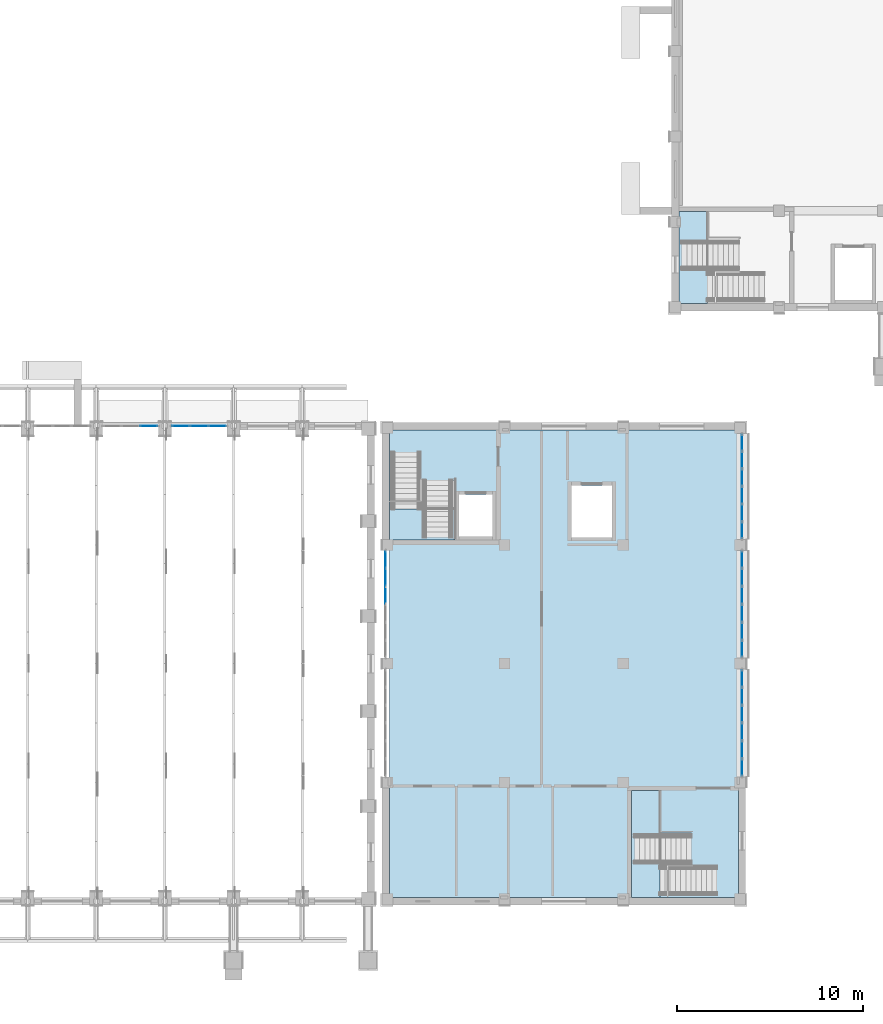
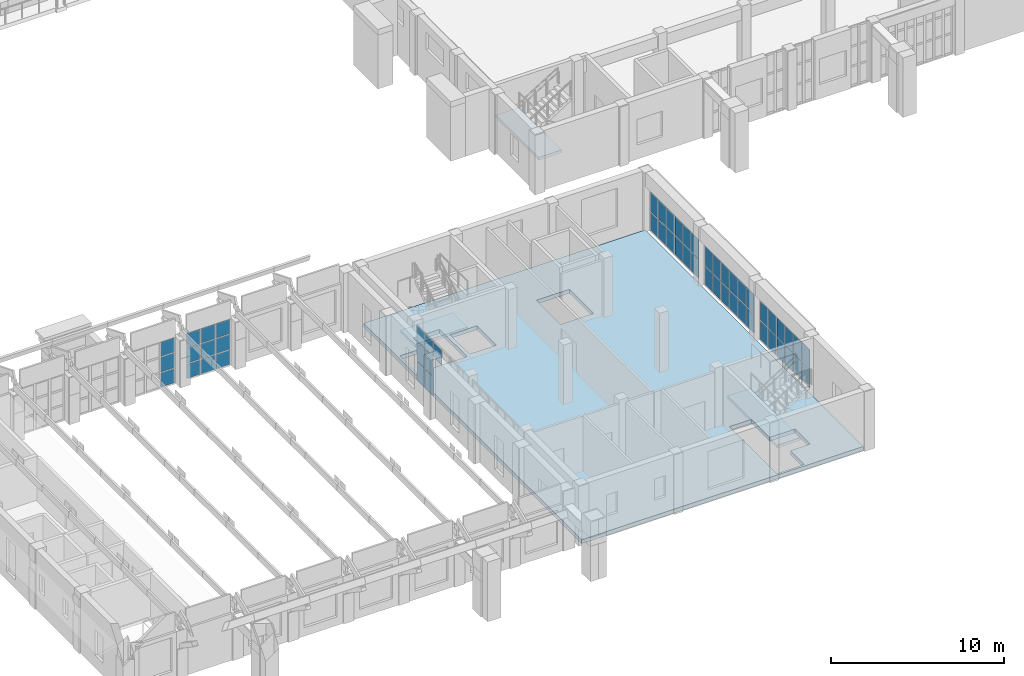
# One storey, part 44 of 99: 55 plates, 4 slabs, 9 elements without a shape of their own.
"""IFC4 building model written with IfcOpenShell, lengths in metres."""

from ifc_helpers import new_model, si_unit, direction, frame, origin, origin_2d, place, context, subcontext, project, spatial, polyline, rectangle, outline, extrude, material, layer, layer_set, type_object, element, aggregate, save


model = new_model("IFC4")

# Units and contexts
model_context = context("Model", 3, precision=1e-05, world=origin(), true_north=direction((0.0, 1.0)))
body_context = subcontext(model_context, "Body", "Model", "MODEL_VIEW")
ifc_project = project(units=[si_unit("LENGTHUNIT", "METRE"), si_unit("AREAUNIT", "SQUARE_METRE"), si_unit("VOLUMEUNIT", "CUBIC_METRE"), si_unit("PLANEANGLEUNIT", "RADIAN"), si_unit("MASSUNIT", "GRAM", prefix="KILO")], contexts=[model_context])

# Site, building, storey
site_placement = place(None, origin())
site = spatial("IfcSite", under=ifc_project, at=site_placement, CompositionType="ELEMENT")
building_placement = place(site_placement, origin())
building = spatial("IfcBuilding", under=site, at=building_placement, Name="Wasatch Bagh Community Centre", CompositionType="ELEMENT")
storey_placement = place(building_placement, frame((0.0, 0.0, 4.199951171875)))
storey = spatial("IfcBuildingStorey", under=building, at=storey_placement, Name="L01", CompositionType="ELEMENT", Elevation=4.199951171875)

# Curtain wall, plates
ifc_material_1 = material(Name="Aluminium alloy 6063-T6", Category="aluminium")
ifc_layer_1 = layer(ifc_material_1, 0.10009765625)
ifc_layer_set_1 = layer_set([ifc_layer_1], Name="Aluminium alloy 6063-T6")
curtain_wall_type_1 = type_object("IfcCurtainWallType", Name="DH-CW2", PredefinedType="NOTDEFINED", material=ifc_layer_set_1)
curtain_wall_1_placement = place(storey_placement, origin())
curtain_wall_1 = element("IfcCurtainWall", 1, at=curtain_wall_1_placement, inside=storey, type_object=curtain_wall_type_1, Name="Curtain wall DH-CW2", PredefinedType="NOTDEFINED")
ifc_material_2 = material(Name="Laminated glass 8+8 mm", Category="glass")
ifc_layer_2 = layer(ifc_material_2, 0.028076171875)
ifc_layer_set_2 = layer_set([ifc_layer_2], Name="Laminated glass 8+8 mm")
plate_type_1 = type_object("IfcPlateType", Name="DH-CW2 panel", PredefinedType="CURTAIN_PANEL", material=ifc_layer_set_2)
plate_1_placement = place(storey_placement, frame((83.8349609375, 31.800048828125, 0.06005859375), z_axis=(0.0, 0.0, 1.0), x_axis=(1.0, 0.0, 0.0)))
plate_1 = element("IfcPlate", 2, at=plate_1_placement, type_object=plate_type_1, Name="DH-CW2 panel 3.1", PredefinedType="CURTAIN_PANEL", context=body_context, shape_type="SweptSolid", body=[
    extrude(rectangle(XDim=0.909912109375, YDim=0.028076171875, at=origin_2d()), origin(), (0.0, 0.0, 1.0), 1.010009765625),
])
plate_2_placement = place(storey_placement, frame((83.8349609375, 31.800048828125, 1.130126953125), z_axis=(0.0, 0.0, 1.0), x_axis=(1.0, 0.0, 0.0)))
plate_2 = element("IfcPlate", 3, at=plate_2_placement, type_object=plate_type_1, Name="DH-CW2 panel 3.2", PredefinedType="CURTAIN_PANEL", context=body_context, shape_type="SweptSolid", body=[
    extrude(rectangle(XDim=0.909912109375, YDim=0.028076171875, at=origin_2d()), origin(), (0.0, 0.0, 1.0), 1.0400390625),
])
plate_3_placement = place(storey_placement, frame((83.8349609375, 31.800048828125, 2.22998046875), z_axis=(0.0, 0.0, 1.0), x_axis=(1.0, 0.0, 0.0)))
plate_3 = element("IfcPlate", 4, at=plate_3_placement, type_object=plate_type_1, Name="DH-CW2 panel 3.3", PredefinedType="CURTAIN_PANEL", context=body_context, shape_type="SweptSolid", body=[
    extrude(rectangle(XDim=0.909912109375, YDim=0.028076171875, at=origin_2d()), origin(), (0.0, 0.0, 1.0), 1.010009765625),
])
aggregate(curtain_wall_1, [plate_1, plate_2, plate_3])

ifc_layer_3 = layer(ifc_material_1, 0.10009765625)
ifc_layer_set_3 = layer_set([ifc_layer_3], Name="Aluminium alloy 6063-T6")
curtain_wall_type_2 = type_object("IfcCurtainWallType", Name="DH-CW3", PredefinedType="NOTDEFINED", material=ifc_layer_set_3)
curtain_wall_2_placement = place(storey_placement, origin())
curtain_wall_2 = element("IfcCurtainWall", 5, at=curtain_wall_2_placement, inside=storey, type_object=curtain_wall_type_2, Name="Curtain wall DH-CW3", PredefinedType="NOTDEFINED")
ifc_layer_4 = layer(ifc_material_2, 0.028076171875)
ifc_layer_set_4 = layer_set([ifc_layer_4], Name="Laminated glass 8+8 mm")
plate_type_2 = type_object("IfcPlateType", Name="DH-CW3 panel", PredefinedType="CURTAIN_PANEL", material=ifc_layer_set_4)
plate_4_placement = place(storey_placement, frame((85.56494140625, 31.800048828125, 0.06005859375), z_axis=(0.0, 0.0, 1.0), x_axis=(1.0, 0.0, 0.0)))
plate_4 = element("IfcPlate", 6, at=plate_4_placement, type_object=plate_type_2, Name="DH-CW3 panel 1.1", PredefinedType="CURTAIN_PANEL", context=body_context, shape_type="SweptSolid", body=[
    extrude(rectangle(XDim=0.909912109375, YDim=0.028076171875, at=origin_2d()), origin(), (0.0, 0.0, 1.0), 1.010009765625),
])
plate_5_placement = place(storey_placement, frame((85.56494140625, 31.800048828125, 1.130126953125), z_axis=(0.0, 0.0, 1.0), x_axis=(1.0, 0.0, 0.0)))
plate_5 = element("IfcPlate", 7, at=plate_5_placement, type_object=plate_type_2, Name="DH-CW3 panel 1.2", PredefinedType="CURTAIN_PANEL", context=body_context, shape_type="SweptSolid", body=[
    extrude(rectangle(XDim=0.909912109375, YDim=0.028076171875, at=origin_2d()), origin(), (0.0, 0.0, 1.0), 1.0400390625),
])
plate_6_placement = place(storey_placement, frame((85.56494140625, 31.800048828125, 2.22998046875), z_axis=(0.0, 0.0, 1.0), x_axis=(1.0, 0.0, 0.0)))
plate_6 = element("IfcPlate", 8, at=plate_6_placement, type_object=plate_type_2, Name="DH-CW3 panel 1.3", PredefinedType="CURTAIN_PANEL", context=body_context, shape_type="SweptSolid", body=[
    extrude(rectangle(XDim=0.909912109375, YDim=0.028076171875, at=origin_2d()), origin(), (0.0, 0.0, 1.0), 1.010009765625),
])
plate_7_placement = place(storey_placement, frame((86.550048828125, 31.800048828125, 0.06005859375), z_axis=(0.0, 0.0, 1.0), x_axis=(1.0, 0.0, 0.0)))
plate_7 = element("IfcPlate", 9, at=plate_7_placement, type_object=plate_type_2, Name="DH-CW3 panel 2.1", PredefinedType="CURTAIN_PANEL", context=body_context, shape_type="SweptSolid", body=[
    extrude(rectangle(XDim=0.93994140625, YDim=0.028076171875, at=origin_2d()), origin(), (0.0, 0.0, 1.0), 1.010009765625),
])
plate_8_placement = place(storey_placement, frame((86.550048828125, 31.800048828125, 1.130126953125), z_axis=(0.0, 0.0, 1.0), x_axis=(1.0, 0.0, 0.0)))
plate_8 = element("IfcPlate", 10, at=plate_8_placement, type_object=plate_type_2, Name="DH-CW3 panel 2.2", PredefinedType="CURTAIN_PANEL", context=body_context, shape_type="SweptSolid", body=[
    extrude(rectangle(XDim=0.93994140625, YDim=0.028076171875, at=origin_2d()), origin(), (0.0, 0.0, 1.0), 1.0400390625),
])
plate_9_placement = place(storey_placement, frame((86.550048828125, 31.800048828125, 2.22998046875), z_axis=(0.0, 0.0, 1.0), x_axis=(1.0, 0.0, 0.0)))
plate_9 = element("IfcPlate", 11, at=plate_9_placement, type_object=plate_type_2, Name="DH-CW3 panel 2.3", PredefinedType="CURTAIN_PANEL", context=body_context, shape_type="SweptSolid", body=[
    extrude(rectangle(XDim=0.93994140625, YDim=0.028076171875, at=origin_2d()), origin(), (0.0, 0.0, 1.0), 1.010009765625),
])
plate_10_placement = place(storey_placement, frame((87.534912109375, 31.800048828125, 0.06005859375), z_axis=(0.0, 0.0, 1.0), x_axis=(1.0, 0.0, 0.0)))
plate_10 = element("IfcPlate", 12, at=plate_10_placement, type_object=plate_type_2, Name="DH-CW3 panel 3.1", PredefinedType="CURTAIN_PANEL", context=body_context, shape_type="SweptSolid", body=[
    extrude(rectangle(XDim=0.909912109375, YDim=0.028076171875, at=origin_2d()), origin(), (0.0, 0.0, 1.0), 1.010009765625),
])
plate_11_placement = place(storey_placement, frame((87.534912109375, 31.800048828125, 1.130126953125), z_axis=(0.0, 0.0, 1.0), x_axis=(1.0, 0.0, 0.0)))
plate_11 = element("IfcPlate", 13, at=plate_11_placement, type_object=plate_type_2, Name="DH-CW3 panel 3.2", PredefinedType="CURTAIN_PANEL", context=body_context, shape_type="SweptSolid", body=[
    extrude(rectangle(XDim=0.909912109375, YDim=0.028076171875, at=origin_2d()), origin(), (0.0, 0.0, 1.0), 1.0400390625),
])
plate_12_placement = place(storey_placement, frame((87.534912109375, 31.800048828125, 2.22998046875), z_axis=(0.0, 0.0, 1.0), x_axis=(1.0, 0.0, 0.0)))
plate_12 = element("IfcPlate", 14, at=plate_12_placement, type_object=plate_type_2, Name="DH-CW3 panel 3.3", PredefinedType="CURTAIN_PANEL", context=body_context, shape_type="SweptSolid", body=[
    extrude(rectangle(XDim=0.909912109375, YDim=0.028076171875, at=origin_2d()), origin(), (0.0, 0.0, 1.0), 1.010009765625),
])
aggregate(curtain_wall_2, [plate_4, plate_5, plate_6, plate_7, plate_8, plate_9, plate_10, plate_11, plate_12])

# Slab
ifc_material_3 = material(Name="Concrete C35", Category="concrete")
ifc_layer_5 = layer(ifc_material_3, 0.280029296875)
ifc_layer_set_5 = layer_set([ifc_layer_5], Name="Concrete C35")
slab_type_1 = type_object("IfcSlabType", Name="KW floor slab 280", PredefinedType="FLOOR", material=ifc_layer_set_5)
slab_1_placement = place(storey_placement, frame((0.0, 0.0, -0.280029296875)))
element("IfcSlab", 15, at=slab_1_placement, inside=storey, type_object=slab_type_1, Name="KW.slab.L01.floor", PredefinedType="FLOOR", context=body_context, shape_type="SweptSolid", body=[
    extrude(outline(polyline([(96.800048828125, 6.39990234375), (115.60009765625, 6.39990234375), (115.60009765625, 31.60009765625), (96.800048828125, 31.60009765625), (96.800048828125, 6.39990234375)]), holes=[polyline([(96.949951171875, 27.68798828125), (96.949951171875, 25.699951171875), (100.300048828125, 25.699951171875), (100.300048828125, 28.860107421875), (98.550048828125, 28.860107421875), (98.550048828125, 27.68798828125), (96.949951171875, 27.68798828125)]), polyline([(111.738037109375, 6.550048828125), (109.89990234375, 6.550048828125), (109.89990234375, 12.0), (111.3701171875, 12.0), (111.3701171875, 9.89990234375), (113.06005859375, 9.89990234375), (113.06005859375, 8.14990234375), (111.738037109375, 8.14990234375), (111.738037109375, 6.550048828125)]), polyline([(100.550048828125, 25.85009765625), (102.35009765625, 25.85009765625), (102.35009765625, 28.10009765625), (100.550048828125, 28.10009765625), (100.550048828125, 25.85009765625)]), polyline([(106.60009765625, 25.800048828125), (108.800048828125, 25.800048828125), (108.800048828125, 28.60009765625), (106.60009765625, 28.60009765625), (106.60009765625, 25.800048828125)])]), origin(), (0.0, 0.0, 1.0), 0.280029296875),
])

# Stair, slab
stair_type_1 = type_object("IfcStairType", Name="KW stair 1500", PredefinedType="HALF_TURN_STAIR", material=ifc_material_3)
stair_1_placement = place(storey_placement, origin())
stair_1 = element("IfcStair", 16, at=stair_1_placement, inside=storey, type_object=stair_type_1, Name="ST4 stair", PredefinedType="HALF_TURN_STAIR")
ifc_layer_6 = layer(ifc_material_3, 0.199951171875)
ifc_layer_set_6 = layer_set([ifc_layer_6], Name="Concrete C35")
slab_type_2 = type_object("IfcSlabType", Name="KW landing 200", PredefinedType="LANDING", material=ifc_layer_set_6)
slab_2_placement = place(storey_placement, frame((0.0, 0.0, 1.900146484375)))
slab_2 = element("IfcSlab", 17, at=slab_2_placement, type_object=slab_type_2, Name="ST4 landing 1", PredefinedType="LANDING", context=body_context, shape_type="SweptSolid", body=[
    extrude(outline(polyline([(96.800048828125, 27.340087890625), (96.800048828125, 25.64990234375), (100.300048828125, 25.64990234375), (100.300048828125, 27.340087890625), (96.800048828125, 27.340087890625)])), origin(), (0.0, 0.0, 1.0), 0.199951171875),
])
aggregate(stair_1, [slab_2])

stair_2_placement = place(storey_placement, origin())
stair_2 = element("IfcStair", 18, at=stair_2_placement, inside=storey, type_object=stair_type_1, Name="ST5 stair", PredefinedType="HALF_TURN_STAIR")
slab_3_placement = place(storey_placement, frame((0.0, 0.0, 1.900146484375)))
slab_3 = element("IfcSlab", 19, at=slab_3_placement, type_object=slab_type_2, Name="ST5 landing 1", PredefinedType="LANDING", context=body_context, shape_type="SweptSolid", body=[
    extrude(outline(polyline([(111.389892578125, 6.39990234375), (109.85009765625, 6.39990234375), (109.85009765625, 12.14990234375), (111.389892578125, 12.14990234375), (111.389892578125, 6.39990234375)])), origin(), (0.0, 0.0, 1.0), 0.199951171875),
])
aggregate(stair_2, [slab_3])

# Curtain wall, plates
ifc_layer_7 = layer(ifc_material_1, 0.10009765625)
ifc_layer_set_7 = layer_set([ifc_layer_7], Name="Aluminium alloy 6063-T6")
curtain_wall_type_3 = type_object("IfcCurtainWallType", Name="KW-CW1", PredefinedType="NOTDEFINED", material=ifc_layer_set_7)
curtain_wall_3_placement = place(storey_placement, origin())
curtain_wall_3 = element("IfcCurtainWall", 20, at=curtain_wall_3_placement, inside=storey, type_object=curtain_wall_type_3, Name="Curtain wall KW-CW1", PredefinedType="NOTDEFINED")
ifc_layer_8 = layer(ifc_material_2, 0.028076171875)
ifc_layer_set_8 = layer_set([ifc_layer_8], Name="Laminated glass 8+8 mm")
plate_type_3 = type_object("IfcPlateType", Name="KW-CW1 panel", PredefinedType="CURTAIN_PANEL", material=ifc_layer_set_8)
plate_13_placement = place(storey_placement, frame((96.60009765625, 22.683349609375, 2.830078125), z_axis=(0.0, 0.0, 1.0), x_axis=(0.0, 1.0, 0.0)))
plate_13 = element("IfcPlate", 21, at=plate_13_placement, type_object=plate_type_3, Name="KW-CW1 panel 4.3", PredefinedType="CURTAIN_PANEL", context=body_context, shape_type="SweptSolid", body=[
    extrude(rectangle(XDim=0.90673828125, YDim=0.028076171875, at=origin_2d()), origin(), (0.0, 0.0, 1.0), 1.030029296875),
])
plate_14_placement = place(storey_placement, frame((96.60009765625, 23.64990234375, 0.06005859375), z_axis=(0.0, 0.0, 1.0), x_axis=(0.0, 1.0, 0.0)))
plate_14 = element("IfcPlate", 22, at=plate_14_placement, type_object=plate_type_3, Name="KW-CW1 panel 5.1", PredefinedType="CURTAIN_PANEL", context=body_context, shape_type="SweptSolid", body=[
    extrude(rectangle(XDim=0.90673828125, YDim=0.028076171875, at=origin_2d()), origin(), (0.0, 0.0, 1.0), 1.31005859375),
])
plate_15_placement = place(storey_placement, frame((96.60009765625, 23.64990234375, 1.43017578125), z_axis=(0.0, 0.0, 1.0), x_axis=(0.0, 1.0, 0.0)))
plate_15 = element("IfcPlate", 23, at=plate_15_placement, type_object=plate_type_3, Name="KW-CW1 panel 5.2", PredefinedType="CURTAIN_PANEL", context=body_context, shape_type="SweptSolid", body=[
    extrude(rectangle(XDim=0.90673828125, YDim=0.028076171875, at=origin_2d()), origin(), (0.0, 0.0, 1.0), 1.340087890625),
])
plate_16_placement = place(storey_placement, frame((96.60009765625, 23.64990234375, 2.830078125), z_axis=(0.0, 0.0, 1.0), x_axis=(0.0, 1.0, 0.0)))
plate_16 = element("IfcPlate", 24, at=plate_16_placement, type_object=plate_type_3, Name="KW-CW1 panel 5.3", PredefinedType="CURTAIN_PANEL", context=body_context, shape_type="SweptSolid", body=[
    extrude(rectangle(XDim=0.90673828125, YDim=0.028076171875, at=origin_2d()), origin(), (0.0, 0.0, 1.0), 1.030029296875),
])
plate_17_placement = place(storey_placement, frame((96.60009765625, 24.6015625, 0.06005859375), z_axis=(0.0, 0.0, 1.0), x_axis=(0.0, 1.0, 0.0)))
plate_17 = element("IfcPlate", 25, at=plate_17_placement, type_object=plate_type_3, Name="KW-CW1 panel 6.1", PredefinedType="CURTAIN_PANEL", context=body_context, shape_type="SweptSolid", body=[
    extrude(rectangle(XDim=0.876708984375, YDim=0.028076171875, at=origin_2d()), origin(), (0.0, 0.0, 1.0), 1.31005859375),
])
plate_18_placement = place(storey_placement, frame((96.60009765625, 24.6015625, 1.43017578125), z_axis=(0.0, 0.0, 1.0), x_axis=(0.0, 1.0, 0.0)))
plate_18 = element("IfcPlate", 26, at=plate_18_placement, type_object=plate_type_3, Name="KW-CW1 panel 6.2", PredefinedType="CURTAIN_PANEL", context=body_context, shape_type="SweptSolid", body=[
    extrude(rectangle(XDim=0.876708984375, YDim=0.028076171875, at=origin_2d()), origin(), (0.0, 0.0, 1.0), 1.340087890625),
])
plate_19_placement = place(storey_placement, frame((96.60009765625, 24.6015625, 2.830078125), z_axis=(0.0, 0.0, 1.0), x_axis=(0.0, 1.0, 0.0)))
plate_19 = element("IfcPlate", 27, at=plate_19_placement, type_object=plate_type_3, Name="KW-CW1 panel 6.3", PredefinedType="CURTAIN_PANEL", context=body_context, shape_type="SweptSolid", body=[
    extrude(rectangle(XDim=0.876708984375, YDim=0.028076171875, at=origin_2d()), origin(), (0.0, 0.0, 1.0), 1.030029296875),
])
aggregate(curtain_wall_3, [plate_13, plate_14, plate_15, plate_16, plate_17, plate_18, plate_19])

ifc_layer_9 = layer(ifc_material_1, 0.10009765625)
ifc_layer_set_9 = layer_set([ifc_layer_9], Name="Aluminium alloy 6063-T6")
curtain_wall_type_4 = type_object("IfcCurtainWallType", Name="KW-CW2", PredefinedType="NOTDEFINED", material=ifc_layer_set_9)
curtain_wall_4_placement = place(storey_placement, origin())
curtain_wall_4 = element("IfcCurtainWall", 28, at=curtain_wall_4_placement, inside=storey, type_object=curtain_wall_type_4, Name="Curtain wall KW-CW2", PredefinedType="NOTDEFINED")
ifc_layer_10 = layer(ifc_material_2, 0.028076171875)
ifc_layer_set_10 = layer_set([ifc_layer_10], Name="Laminated glass 8+8 mm")
plate_type_4 = type_object("IfcPlateType", Name="KW-CW2 panel", PredefinedType="CURTAIN_PANEL", material=ifc_layer_set_10)
plate_20_placement = place(storey_placement, frame((115.800048828125, 13.3984375, 0.06005859375), z_axis=(0.0, 0.0, 1.0), x_axis=(0.0, 1.0, 0.0)))
plate_20 = element("IfcPlate", 29, at=plate_20_placement, type_object=plate_type_4, Name="KW-CW2 panel 1.1", PredefinedType="CURTAIN_PANEL", context=body_context, shape_type="SweptSolid", body=[
    extrude(rectangle(XDim=0.876708984375, YDim=0.028076171875, at=origin_2d()), origin(), (0.0, 0.0, 1.0), 1.31005859375),
])
plate_21_placement = place(storey_placement, frame((115.800048828125, 13.3984375, 1.43017578125), z_axis=(0.0, 0.0, 1.0), x_axis=(0.0, 1.0, 0.0)))
plate_21 = element("IfcPlate", 30, at=plate_21_placement, type_object=plate_type_4, Name="KW-CW2 panel 1.2", PredefinedType="CURTAIN_PANEL", context=body_context, shape_type="SweptSolid", body=[
    extrude(rectangle(XDim=0.876708984375, YDim=0.028076171875, at=origin_2d()), origin(), (0.0, 0.0, 1.0), 1.340087890625),
])
plate_22_placement = place(storey_placement, frame((115.800048828125, 14.35009765625, 0.06005859375), z_axis=(0.0, 0.0, 1.0), x_axis=(0.0, 1.0, 0.0)))
plate_22 = element("IfcPlate", 31, at=plate_22_placement, type_object=plate_type_4, Name="KW-CW2 panel 2.1", PredefinedType="CURTAIN_PANEL", context=body_context, shape_type="SweptSolid", body=[
    extrude(rectangle(XDim=0.90673828125, YDim=0.028076171875, at=origin_2d()), origin(), (0.0, 0.0, 1.0), 1.31005859375),
])
plate_23_placement = place(storey_placement, frame((115.800048828125, 14.35009765625, 1.43017578125), z_axis=(0.0, 0.0, 1.0), x_axis=(0.0, 1.0, 0.0)))
plate_23 = element("IfcPlate", 32, at=plate_23_placement, type_object=plate_type_4, Name="KW-CW2 panel 2.2", PredefinedType="CURTAIN_PANEL", context=body_context, shape_type="SweptSolid", body=[
    extrude(rectangle(XDim=0.90673828125, YDim=0.028076171875, at=origin_2d()), origin(), (0.0, 0.0, 1.0), 1.340087890625),
])
plate_24_placement = place(storey_placement, frame((115.800048828125, 15.316650390625, 0.06005859375), z_axis=(0.0, 0.0, 1.0), x_axis=(0.0, 1.0, 0.0)))
plate_24 = element("IfcPlate", 33, at=plate_24_placement, type_object=plate_type_4, Name="KW-CW2 panel 3.1", PredefinedType="CURTAIN_PANEL", context=body_context, shape_type="SweptSolid", body=[
    extrude(rectangle(XDim=0.90673828125, YDim=0.028076171875, at=origin_2d()), origin(), (0.0, 0.0, 1.0), 1.31005859375),
])
plate_25_placement = place(storey_placement, frame((115.800048828125, 15.316650390625, 1.43017578125), z_axis=(0.0, 0.0, 1.0), x_axis=(0.0, 1.0, 0.0)))
plate_25 = element("IfcPlate", 34, at=plate_25_placement, type_object=plate_type_4, Name="KW-CW2 panel 3.2", PredefinedType="CURTAIN_PANEL", context=body_context, shape_type="SweptSolid", body=[
    extrude(rectangle(XDim=0.90673828125, YDim=0.028076171875, at=origin_2d()), origin(), (0.0, 0.0, 1.0), 1.340087890625),
])
plate_26_placement = place(storey_placement, frame((115.800048828125, 16.283447265625, 0.06005859375), z_axis=(0.0, 0.0, 1.0), x_axis=(0.0, 1.0, 0.0)))
plate_26 = element("IfcPlate", 35, at=plate_26_placement, type_object=plate_type_4, Name="KW-CW2 panel 4.1", PredefinedType="CURTAIN_PANEL", context=body_context, shape_type="SweptSolid", body=[
    extrude(rectangle(XDim=0.90673828125, YDim=0.028076171875, at=origin_2d()), origin(), (0.0, 0.0, 1.0), 1.31005859375),
])
plate_27_placement = place(storey_placement, frame((115.800048828125, 16.283447265625, 1.43017578125), z_axis=(0.0, 0.0, 1.0), x_axis=(0.0, 1.0, 0.0)))
plate_27 = element("IfcPlate", 36, at=plate_27_placement, type_object=plate_type_4, Name="KW-CW2 panel 4.2", PredefinedType="CURTAIN_PANEL", context=body_context, shape_type="SweptSolid", body=[
    extrude(rectangle(XDim=0.90673828125, YDim=0.028076171875, at=origin_2d()), origin(), (0.0, 0.0, 1.0), 1.340087890625),
])
plate_28_placement = place(storey_placement, frame((115.800048828125, 17.25, 0.06005859375), z_axis=(0.0, 0.0, 1.0), x_axis=(0.0, 1.0, 0.0)))
plate_28 = element("IfcPlate", 37, at=plate_28_placement, type_object=plate_type_4, Name="KW-CW2 panel 5.1", PredefinedType="CURTAIN_PANEL", context=body_context, shape_type="SweptSolid", body=[
    extrude(rectangle(XDim=0.90673828125, YDim=0.028076171875, at=origin_2d()), origin(), (0.0, 0.0, 1.0), 1.31005859375),
])
plate_29_placement = place(storey_placement, frame((115.800048828125, 17.25, 1.43017578125), z_axis=(0.0, 0.0, 1.0), x_axis=(0.0, 1.0, 0.0)))
plate_29 = element("IfcPlate", 38, at=plate_29_placement, type_object=plate_type_4, Name="KW-CW2 panel 5.2", PredefinedType="CURTAIN_PANEL", context=body_context, shape_type="SweptSolid", body=[
    extrude(rectangle(XDim=0.90673828125, YDim=0.028076171875, at=origin_2d()), origin(), (0.0, 0.0, 1.0), 1.340087890625),
])
plate_30_placement = place(storey_placement, frame((115.800048828125, 18.20166015625, 0.06005859375), z_axis=(0.0, 0.0, 1.0), x_axis=(0.0, 1.0, 0.0)))
plate_30 = element("IfcPlate", 39, at=plate_30_placement, type_object=plate_type_4, Name="KW-CW2 panel 6.1", PredefinedType="CURTAIN_PANEL", context=body_context, shape_type="SweptSolid", body=[
    extrude(rectangle(XDim=0.876708984375, YDim=0.028076171875, at=origin_2d()), origin(), (0.0, 0.0, 1.0), 1.31005859375),
])
plate_31_placement = place(storey_placement, frame((115.800048828125, 18.20166015625, 1.43017578125), z_axis=(0.0, 0.0, 1.0), x_axis=(0.0, 1.0, 0.0)))
plate_31 = element("IfcPlate", 40, at=plate_31_placement, type_object=plate_type_4, Name="KW-CW2 panel 6.2", PredefinedType="CURTAIN_PANEL", context=body_context, shape_type="SweptSolid", body=[
    extrude(rectangle(XDim=0.876708984375, YDim=0.028076171875, at=origin_2d()), origin(), (0.0, 0.0, 1.0), 1.340087890625),
])
aggregate(curtain_wall_4, [plate_20, plate_21, plate_22, plate_23, plate_24, plate_25, plate_26, plate_27, plate_28, plate_29, plate_30, plate_31])

curtain_wall_5_placement = place(storey_placement, origin())
curtain_wall_5 = element("IfcCurtainWall", 41, at=curtain_wall_5_placement, inside=storey, type_object=curtain_wall_type_4, Name="Curtain wall KW-CW2", PredefinedType="NOTDEFINED")
plate_32_placement = place(storey_placement, frame((115.800048828125, 19.79833984375, 0.06005859375), z_axis=(0.0, 0.0, 1.0), x_axis=(0.0, 1.0, 0.0)))
plate_32 = element("IfcPlate", 42, at=plate_32_placement, type_object=plate_type_4, Name="KW-CW2 panel 1.1", PredefinedType="CURTAIN_PANEL", context=body_context, shape_type="SweptSolid", body=[
    extrude(rectangle(XDim=0.876708984375, YDim=0.028076171875, at=origin_2d()), origin(), (0.0, 0.0, 1.0), 1.31005859375),
])
plate_33_placement = place(storey_placement, frame((115.800048828125, 19.79833984375, 1.43017578125), z_axis=(0.0, 0.0, 1.0), x_axis=(0.0, 1.0, 0.0)))
plate_33 = element("IfcPlate", 43, at=plate_33_placement, type_object=plate_type_4, Name="KW-CW2 panel 1.2", PredefinedType="CURTAIN_PANEL", context=body_context, shape_type="SweptSolid", body=[
    extrude(rectangle(XDim=0.876708984375, YDim=0.028076171875, at=origin_2d()), origin(), (0.0, 0.0, 1.0), 1.340087890625),
])
plate_34_placement = place(storey_placement, frame((115.800048828125, 20.75, 0.06005859375), z_axis=(0.0, 0.0, 1.0), x_axis=(0.0, 1.0, 0.0)))
plate_34 = element("IfcPlate", 44, at=plate_34_placement, type_object=plate_type_4, Name="KW-CW2 panel 2.1", PredefinedType="CURTAIN_PANEL", context=body_context, shape_type="SweptSolid", body=[
    extrude(rectangle(XDim=0.90673828125, YDim=0.028076171875, at=origin_2d()), origin(), (0.0, 0.0, 1.0), 1.31005859375),
])
plate_35_placement = place(storey_placement, frame((115.800048828125, 20.75, 1.43017578125), z_axis=(0.0, 0.0, 1.0), x_axis=(0.0, 1.0, 0.0)))
plate_35 = element("IfcPlate", 45, at=plate_35_placement, type_object=plate_type_4, Name="KW-CW2 panel 2.2", PredefinedType="CURTAIN_PANEL", context=body_context, shape_type="SweptSolid", body=[
    extrude(rectangle(XDim=0.90673828125, YDim=0.028076171875, at=origin_2d()), origin(), (0.0, 0.0, 1.0), 1.340087890625),
])
plate_36_placement = place(storey_placement, frame((115.800048828125, 21.716552734375, 0.06005859375), z_axis=(0.0, 0.0, 1.0), x_axis=(0.0, 1.0, 0.0)))
plate_36 = element("IfcPlate", 46, at=plate_36_placement, type_object=plate_type_4, Name="KW-CW2 panel 3.1", PredefinedType="CURTAIN_PANEL", context=body_context, shape_type="SweptSolid", body=[
    extrude(rectangle(XDim=0.90673828125, YDim=0.028076171875, at=origin_2d()), origin(), (0.0, 0.0, 1.0), 1.31005859375),
])
plate_37_placement = place(storey_placement, frame((115.800048828125, 21.716552734375, 1.43017578125), z_axis=(0.0, 0.0, 1.0), x_axis=(0.0, 1.0, 0.0)))
plate_37 = element("IfcPlate", 47, at=plate_37_placement, type_object=plate_type_4, Name="KW-CW2 panel 3.2", PredefinedType="CURTAIN_PANEL", context=body_context, shape_type="SweptSolid", body=[
    extrude(rectangle(XDim=0.90673828125, YDim=0.028076171875, at=origin_2d()), origin(), (0.0, 0.0, 1.0), 1.340087890625),
])
plate_38_placement = place(storey_placement, frame((115.800048828125, 22.683349609375, 0.06005859375), z_axis=(0.0, 0.0, 1.0), x_axis=(0.0, 1.0, 0.0)))
plate_38 = element("IfcPlate", 48, at=plate_38_placement, type_object=plate_type_4, Name="KW-CW2 panel 4.1", PredefinedType="CURTAIN_PANEL", context=body_context, shape_type="SweptSolid", body=[
    extrude(rectangle(XDim=0.90673828125, YDim=0.028076171875, at=origin_2d()), origin(), (0.0, 0.0, 1.0), 1.31005859375),
])
plate_39_placement = place(storey_placement, frame((115.800048828125, 22.683349609375, 1.43017578125), z_axis=(0.0, 0.0, 1.0), x_axis=(0.0, 1.0, 0.0)))
plate_39 = element("IfcPlate", 49, at=plate_39_placement, type_object=plate_type_4, Name="KW-CW2 panel 4.2", PredefinedType="CURTAIN_PANEL", context=body_context, shape_type="SweptSolid", body=[
    extrude(rectangle(XDim=0.90673828125, YDim=0.028076171875, at=origin_2d()), origin(), (0.0, 0.0, 1.0), 1.340087890625),
])
plate_40_placement = place(storey_placement, frame((115.800048828125, 23.64990234375, 0.06005859375), z_axis=(0.0, 0.0, 1.0), x_axis=(0.0, 1.0, 0.0)))
plate_40 = element("IfcPlate", 50, at=plate_40_placement, type_object=plate_type_4, Name="KW-CW2 panel 5.1", PredefinedType="CURTAIN_PANEL", context=body_context, shape_type="SweptSolid", body=[
    extrude(rectangle(XDim=0.90673828125, YDim=0.028076171875, at=origin_2d()), origin(), (0.0, 0.0, 1.0), 1.31005859375),
])
plate_41_placement = place(storey_placement, frame((115.800048828125, 23.64990234375, 1.43017578125), z_axis=(0.0, 0.0, 1.0), x_axis=(0.0, 1.0, 0.0)))
plate_41 = element("IfcPlate", 51, at=plate_41_placement, type_object=plate_type_4, Name="KW-CW2 panel 5.2", PredefinedType="CURTAIN_PANEL", context=body_context, shape_type="SweptSolid", body=[
    extrude(rectangle(XDim=0.90673828125, YDim=0.028076171875, at=origin_2d()), origin(), (0.0, 0.0, 1.0), 1.340087890625),
])
plate_42_placement = place(storey_placement, frame((115.800048828125, 24.6015625, 0.06005859375), z_axis=(0.0, 0.0, 1.0), x_axis=(0.0, 1.0, 0.0)))
plate_42 = element("IfcPlate", 52, at=plate_42_placement, type_object=plate_type_4, Name="KW-CW2 panel 6.1", PredefinedType="CURTAIN_PANEL", context=body_context, shape_type="SweptSolid", body=[
    extrude(rectangle(XDim=0.876708984375, YDim=0.028076171875, at=origin_2d()), origin(), (0.0, 0.0, 1.0), 1.31005859375),
])
plate_43_placement = place(storey_placement, frame((115.800048828125, 24.6015625, 1.43017578125), z_axis=(0.0, 0.0, 1.0), x_axis=(0.0, 1.0, 0.0)))
plate_43 = element("IfcPlate", 53, at=plate_43_placement, type_object=plate_type_4, Name="KW-CW2 panel 6.2", PredefinedType="CURTAIN_PANEL", context=body_context, shape_type="SweptSolid", body=[
    extrude(rectangle(XDim=0.876708984375, YDim=0.028076171875, at=origin_2d()), origin(), (0.0, 0.0, 1.0), 1.340087890625),
])
aggregate(curtain_wall_5, [plate_32, plate_33, plate_34, plate_35, plate_36, plate_37, plate_38, plate_39, plate_40, plate_41, plate_42, plate_43])

ifc_layer_11 = layer(ifc_material_1, 0.10009765625)
ifc_layer_set_11 = layer_set([ifc_layer_11], Name="Aluminium alloy 6063-T6")
curtain_wall_type_5 = type_object("IfcCurtainWallType", Name="KW-CW3", PredefinedType="NOTDEFINED", material=ifc_layer_set_11)
curtain_wall_6_placement = place(storey_placement, origin())
curtain_wall_6 = element("IfcCurtainWall", 54, at=curtain_wall_6_placement, inside=storey, type_object=curtain_wall_type_5, Name="Curtain wall KW-CW3", PredefinedType="NOTDEFINED")
ifc_layer_12 = layer(ifc_material_2, 0.028076171875)
ifc_layer_set_12 = layer_set([ifc_layer_12], Name="Laminated glass 8+8 mm")
plate_type_5 = type_object("IfcPlateType", Name="KW-CW3 panel", PredefinedType="CURTAIN_PANEL", material=ifc_layer_set_12)
plate_44_placement = place(storey_placement, frame((115.800048828125, 26.18994140625, 0.06005859375), z_axis=(0.0, 0.0, 1.0), x_axis=(0.0, 1.0, 0.0)))
plate_44 = element("IfcPlate", 55, at=plate_44_placement, type_object=plate_type_5, Name="KW-CW3 panel 1.1", PredefinedType="CURTAIN_PANEL", context=body_context, shape_type="SweptSolid", body=[
    extrude(rectangle(XDim=0.860107421875, YDim=0.028076171875, at=origin_2d()), origin(), (0.0, 0.0, 1.0), 1.31005859375),
])
plate_45_placement = place(storey_placement, frame((115.800048828125, 26.18994140625, 1.43017578125), z_axis=(0.0, 0.0, 1.0), x_axis=(0.0, 1.0, 0.0)))
plate_45 = element("IfcPlate", 56, at=plate_45_placement, type_object=plate_type_5, Name="KW-CW3 panel 1.2", PredefinedType="CURTAIN_PANEL", context=body_context, shape_type="SweptSolid", body=[
    extrude(rectangle(XDim=0.860107421875, YDim=0.028076171875, at=origin_2d()), origin(), (0.0, 0.0, 1.0), 1.340087890625),
])
plate_46_placement = place(storey_placement, frame((115.800048828125, 27.125, 0.06005859375), z_axis=(0.0, 0.0, 1.0), x_axis=(0.0, 1.0, 0.0)))
plate_46 = element("IfcPlate", 57, at=plate_46_placement, type_object=plate_type_5, Name="KW-CW3 panel 2.1", PredefinedType="CURTAIN_PANEL", context=body_context, shape_type="SweptSolid", body=[
    extrude(rectangle(XDim=0.889892578125, YDim=0.028076171875, at=origin_2d()), origin(), (0.0, 0.0, 1.0), 1.31005859375),
])
plate_47_placement = place(storey_placement, frame((115.800048828125, 27.125, 1.43017578125), z_axis=(0.0, 0.0, 1.0), x_axis=(0.0, 1.0, 0.0)))
plate_47 = element("IfcPlate", 58, at=plate_47_placement, type_object=plate_type_5, Name="KW-CW3 panel 2.2", PredefinedType="CURTAIN_PANEL", context=body_context, shape_type="SweptSolid", body=[
    extrude(rectangle(XDim=0.889892578125, YDim=0.028076171875, at=origin_2d()), origin(), (0.0, 0.0, 1.0), 1.340087890625),
])
plate_48_placement = place(storey_placement, frame((115.800048828125, 28.074951171875, 0.06005859375), z_axis=(0.0, 0.0, 1.0), x_axis=(0.0, 1.0, 0.0)))
plate_48 = element("IfcPlate", 59, at=plate_48_placement, type_object=plate_type_5, Name="KW-CW3 panel 3.1", PredefinedType="CURTAIN_PANEL", context=body_context, shape_type="SweptSolid", body=[
    extrude(rectangle(XDim=0.889892578125, YDim=0.028076171875, at=origin_2d()), origin(), (0.0, 0.0, 1.0), 1.31005859375),
])
plate_49_placement = place(storey_placement, frame((115.800048828125, 28.074951171875, 1.43017578125), z_axis=(0.0, 0.0, 1.0), x_axis=(0.0, 1.0, 0.0)))
plate_49 = element("IfcPlate", 60, at=plate_49_placement, type_object=plate_type_5, Name="KW-CW3 panel 3.2", PredefinedType="CURTAIN_PANEL", context=body_context, shape_type="SweptSolid", body=[
    extrude(rectangle(XDim=0.889892578125, YDim=0.028076171875, at=origin_2d()), origin(), (0.0, 0.0, 1.0), 1.340087890625),
])
plate_50_placement = place(storey_placement, frame((115.800048828125, 29.02490234375, 0.06005859375), z_axis=(0.0, 0.0, 1.0), x_axis=(0.0, 1.0, 0.0)))
plate_50 = element("IfcPlate", 61, at=plate_50_placement, type_object=plate_type_5, Name="KW-CW3 panel 4.1", PredefinedType="CURTAIN_PANEL", context=body_context, shape_type="SweptSolid", body=[
    extrude(rectangle(XDim=0.889892578125, YDim=0.028076171875, at=origin_2d()), origin(), (0.0, 0.0, 1.0), 1.31005859375),
])
plate_51_placement = place(storey_placement, frame((115.800048828125, 29.02490234375, 1.43017578125), z_axis=(0.0, 0.0, 1.0), x_axis=(0.0, 1.0, 0.0)))
plate_51 = element("IfcPlate", 62, at=plate_51_placement, type_object=plate_type_5, Name="KW-CW3 panel 4.2", PredefinedType="CURTAIN_PANEL", context=body_context, shape_type="SweptSolid", body=[
    extrude(rectangle(XDim=0.889892578125, YDim=0.028076171875, at=origin_2d()), origin(), (0.0, 0.0, 1.0), 1.340087890625),
])
plate_52_placement = place(storey_placement, frame((115.800048828125, 29.97509765625, 0.06005859375), z_axis=(0.0, 0.0, 1.0), x_axis=(0.0, 1.0, 0.0)))
plate_52 = element("IfcPlate", 63, at=plate_52_placement, type_object=plate_type_5, Name="KW-CW3 panel 5.1", PredefinedType="CURTAIN_PANEL", context=body_context, shape_type="SweptSolid", body=[
    extrude(rectangle(XDim=0.889892578125, YDim=0.028076171875, at=origin_2d()), origin(), (0.0, 0.0, 1.0), 1.31005859375),
])
plate_53_placement = place(storey_placement, frame((115.800048828125, 29.97509765625, 1.43017578125), z_axis=(0.0, 0.0, 1.0), x_axis=(0.0, 1.0, 0.0)))
plate_53 = element("IfcPlate", 64, at=plate_53_placement, type_object=plate_type_5, Name="KW-CW3 panel 5.2", PredefinedType="CURTAIN_PANEL", context=body_context, shape_type="SweptSolid", body=[
    extrude(rectangle(XDim=0.889892578125, YDim=0.028076171875, at=origin_2d()), origin(), (0.0, 0.0, 1.0), 1.340087890625),
])
plate_54_placement = place(storey_placement, frame((115.800048828125, 30.909912109375, 0.06005859375), z_axis=(0.0, 0.0, 1.0), x_axis=(0.0, 1.0, 0.0)))
plate_54 = element("IfcPlate", 65, at=plate_54_placement, type_object=plate_type_5, Name="KW-CW3 panel 6.1", PredefinedType="CURTAIN_PANEL", context=body_context, shape_type="SweptSolid", body=[
    extrude(rectangle(XDim=0.860107421875, YDim=0.028076171875, at=origin_2d()), origin(), (0.0, 0.0, 1.0), 1.31005859375),
])
plate_55_placement = place(storey_placement, frame((115.800048828125, 30.909912109375, 1.43017578125), z_axis=(0.0, 0.0, 1.0), x_axis=(0.0, 1.0, 0.0)))
plate_55 = element("IfcPlate", 66, at=plate_55_placement, type_object=plate_type_5, Name="KW-CW3 panel 6.2", PredefinedType="CURTAIN_PANEL", context=body_context, shape_type="SweptSolid", body=[
    extrude(rectangle(XDim=0.860107421875, YDim=0.028076171875, at=origin_2d()), origin(), (0.0, 0.0, 1.0), 1.340087890625),
])
aggregate(curtain_wall_6, [plate_44, plate_45, plate_46, plate_47, plate_48, plate_49, plate_50, plate_51, plate_52, plate_53, plate_54, plate_55])

# Stair, slab
stair_type_2 = type_object("IfcStairType", Name="SH stair 1500", PredefinedType="HALF_TURN_STAIR", material=ifc_material_3)
stair_3_placement = place(storey_placement, origin())
stair_3 = element("IfcStair", 67, at=stair_3_placement, inside=storey, type_object=stair_type_2, Name="ST1 stair", PredefinedType="HALF_TURN_STAIR")
ifc_layer_13 = layer(ifc_material_3, 0.199951171875)
ifc_layer_set_13 = layer_set([ifc_layer_13], Name="Concrete C35")
slab_type_3 = type_object("IfcSlabType", Name="SH landing 200", PredefinedType="LANDING", material=ifc_layer_set_13)
slab_4_placement = place(storey_placement, frame((0.0, 0.0, 1.900146484375)))
slab_4 = element("IfcSlab", 68, at=slab_4_placement, type_object=slab_type_3, Name="ST1 landing 1", PredefinedType="LANDING", context=body_context, shape_type="SweptSolid", body=[
    extrude(outline(polyline([(113.93994140625, 38.39990234375), (112.39990234375, 38.39990234375), (112.39990234375, 43.35009765625), (113.93994140625, 43.35009765625), (113.93994140625, 38.39990234375)])), origin(), (0.0, 0.0, 1.0), 0.199951171875),
])
aggregate(stair_3, [slab_4])

save(model, "model.ifc")
